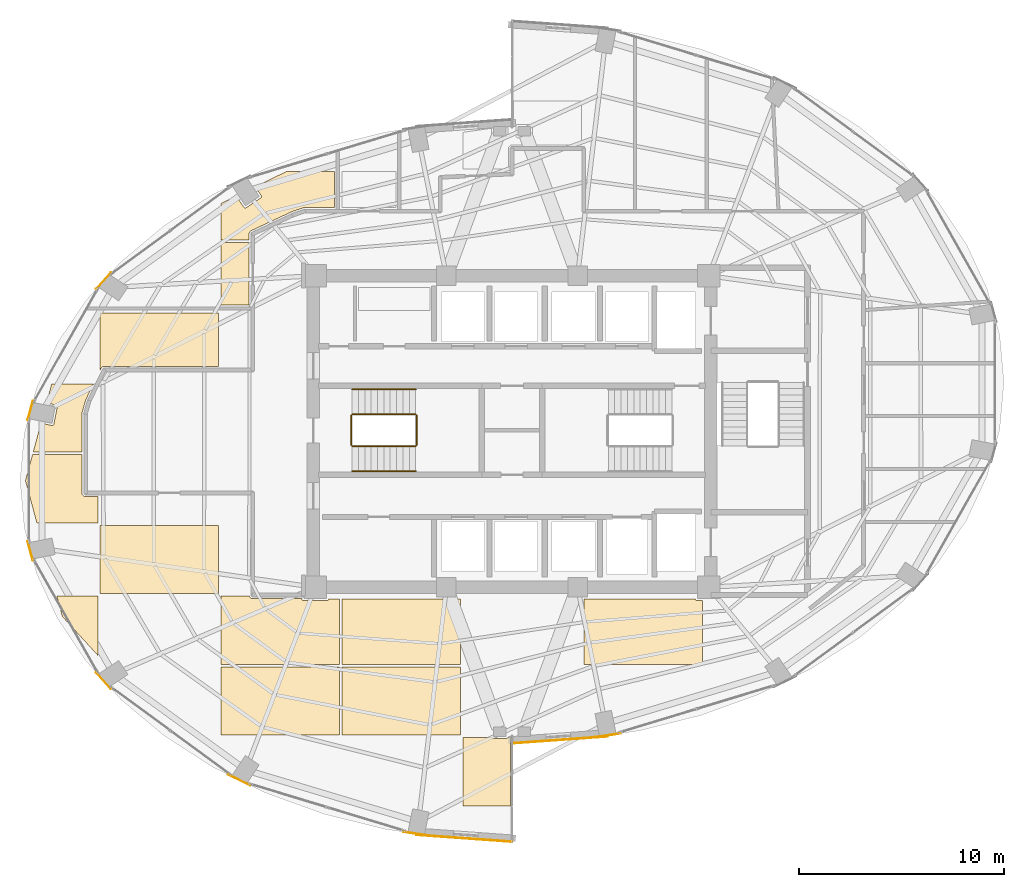
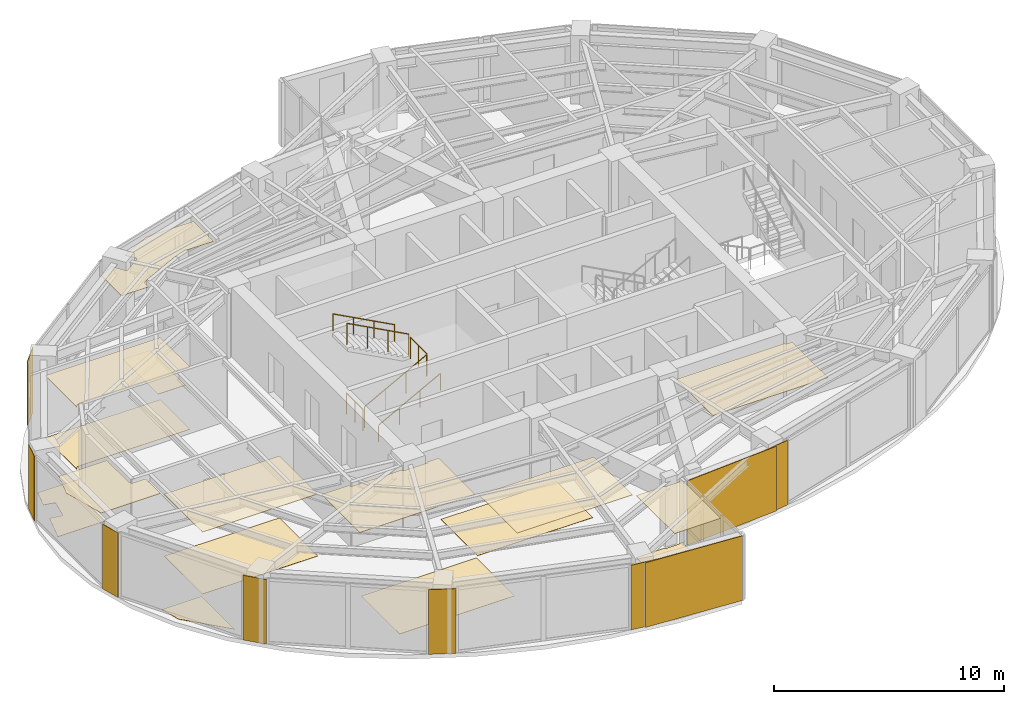
# One storey, part 19 of 20: 25 coverings, 6 railings.
"""IFC4 building model written with IfcOpenShell, lengths in metres."""

import ifcopenshell
import ifcopenshell.guid

model = None  # the IFC model being written
_history = None  # IfcOwnerHistory: only IFC2X3 demands one
_inside = {}  # id of a spatial element -> (the spatial element, [elements in it])
_under = {}  # id of a project, library or spatial element -> (it, [spatial elements below it])
_declared = {}  # id of a project -> (the project, [libraries it declares])
_typed = {}  # id of a type object -> (the type object, [elements of that type])
_made_of = {}  # id of a material, layer set ... -> (it, [elements and type objects made of it])


def new_model(schema):
    """Start an empty IFC model of exactly this schema.

    Asked for "IFC4X3", IfcOpenShell would pick the latest addendum, in which some entities
    have other attributes; the version numbers below select the first issue.
    IFC2X3 requires an IfcOwnerHistory on every rooted entity: one is made here for all.
    """
    global model, _history
    if schema == "IFC4X3":
        model = ifcopenshell.file(schema_version=(4, 3, 0, 0))
    else:
        model = ifcopenshell.file(schema=schema)
    _inside.clear()
    _under.clear()
    _declared.clear()
    _typed.clear()
    _made_of.clear()
    _history = None
    if model.schema == "IFC2X3":
        org = make("IfcOrganization", Name="unknown")
        user = make(
            "IfcPersonAndOrganization",
            ThePerson=make("IfcPerson", FamilyName="unknown"),
            TheOrganization=org,
        )
        app = make(
            "IfcApplication",
            ApplicationDeveloper=org,
            Version="unknown",
            ApplicationFullName="unknown",
            ApplicationIdentifier="unknown",
        )
        _history = make(
            "IfcOwnerHistory",
            OwningUser=user,
            OwningApplication=app,
            ChangeAction="ADDED",
            CreationDate=0,
        )
    return model


def make(cls, **values):
    """One entity of the class cls with the attributes given. An attribute that is None is left unset."""
    return model.create_entity(
        cls, **{name: value for name, value in values.items() if value is not None}
    )


def rooted(cls, **values):
    """An entity with a GlobalId (a new one), such as an element, a storey or a relation."""
    return make(cls, GlobalId=ifcopenshell.guid.new(), OwnerHistory=_history, **values)


def si_unit(unit_type, name, prefix=None):
    """IfcSIUnit, for example si_unit("LENGTHUNIT", "METRE", prefix="MILLI")."""
    return make("IfcSIUnit", UnitType=unit_type, Prefix=prefix, Name=name)


def assignment(units):
    """IfcUnitAssignment: the units of a project."""
    return None if units is None else make("IfcUnitAssignment", Units=units)


def point(xyz):
    """IfcCartesianPoint."""
    return None if xyz is None else make("IfcCartesianPoint", Coordinates=xyz)


def direction(xyz):
    """IfcDirection."""
    return None if xyz is None else make("IfcDirection", DirectionRatios=xyz)


def frame(location, z_axis=None, x_axis=None):
    """IfcAxis2Placement3D, a coordinate frame: its origin and axes. An axis left out is left unset."""
    return make(
        "IfcAxis2Placement3D",
        Location=point(location),
        Axis=direction(z_axis),
        RefDirection=direction(x_axis),
    )


def frame_2d(location, x_axis=None):
    """IfcAxis2Placement2D, a coordinate frame in the plane: its origin and x axis."""
    return make(
        "IfcAxis2Placement2D", Location=point(location), RefDirection=direction(x_axis)
    )


def origin():
    """The frame at (0, 0, 0) with its axes left unset."""
    return frame((0.0, 0.0, 0.0))


def origin_2d():
    """The frame at (0, 0) in the plane with its x axis left unset."""
    return frame_2d((0.0, 0.0))


def place(relative_to, where):
    """IfcLocalPlacement: puts the frame where relative to a parent placement (None: the world)."""
    return make(
        "IfcLocalPlacement", PlacementRelTo=relative_to, RelativePlacement=where
    )


def context(
    kind, dimensions, precision=None, world=None, true_north=None, identifier=None
):
    """IfcGeometricRepresentationContext, for example the 3D "Model" context."""
    return make(
        "IfcGeometricRepresentationContext",
        ContextIdentifier=identifier,
        ContextType=kind,
        CoordinateSpaceDimension=dimensions,
        Precision=precision,
        WorldCoordinateSystem=world,
        TrueNorth=true_north,
    )


def subcontext(parent, identifier, kind, view, scale=None):
    """IfcGeometricRepresentationSubContext, for example "Body" below "Model"."""
    return make(
        "IfcGeometricRepresentationSubContext",
        ContextIdentifier=identifier,
        ContextType=kind,
        ParentContext=parent,
        TargetScale=scale,
        TargetView=view,
    )


def project(units=None, contexts=None):
    """IfcProject with its units and contexts."""
    return rooted(
        "IfcProject",
        Name="project",
        RepresentationContexts=contexts,
        UnitsInContext=assignment(units),
    )


def spatial(cls, under=None, at=None, **own):
    """A site, building, storey or space (cls), placed at a placement, below another one or the project."""
    s = rooted(cls, ObjectPlacement=at, **own)
    if under is not None:
        _under.setdefault(under.id(), (under, []))[1].append(s)
    return s


def polyline(points):
    """IfcPolyline through the points."""
    return make("IfcPolyline", Points=[point(p) for p in points])


def profile(cls, at=None, kind="AREA", **sizes):
    """A parametric profile (cls). Its sizes go by their IFC names, for example OverallWidth=200.0."""
    return make(cls, ProfileType=kind, Position=at, **sizes)


def rectangle(**sizes):
    """IfcRectangleProfileDef."""
    return profile("IfcRectangleProfileDef", **sizes)


def circle(**sizes):
    """IfcCircleProfileDef."""
    return profile("IfcCircleProfileDef", **sizes)


def outline(outer, holes=None, kind="AREA"):
    """IfcArbitraryClosedProfileDef: a profile drawn as a closed curve; with holes, ...WithVoids."""
    if holes is None:
        return make("IfcArbitraryClosedProfileDef", ProfileType=kind, OuterCurve=outer)
    return make(
        "IfcArbitraryProfileDefWithVoids",
        ProfileType=kind,
        OuterCurve=outer,
        InnerCurves=holes,
    )


def extrude(swept, where, along, depth):
    """IfcExtrudedAreaSolid: the profile swept, set in the frame where, extruded along a direction by depth."""
    return make(
        "IfcExtrudedAreaSolid",
        SweptArea=swept,
        Position=where,
        ExtrudedDirection=direction(along),
        Depth=depth,
    )


def shape(context_of_items, identifier, shape_type, items):
    """IfcShapeRepresentation: the items that make up one representation, for example the "Body"."""
    return make(
        "IfcShapeRepresentation",
        ContextOfItems=context_of_items,
        RepresentationIdentifier=identifier,
        RepresentationType=shape_type,
        Items=items,
    )


def material(Name=None, Category=None):
    """IfcMaterial."""
    return make("IfcMaterial", Name=Name, Category=Category)


def layer(
    of_material, thickness, ventilated=None, Name=None, Category=None, Priority=None
):
    """IfcMaterialLayer: one layer of a wall or slab, of a material (None: an air gap)."""
    return make(
        "IfcMaterialLayer",
        Material=of_material,
        LayerThickness=thickness,
        IsVentilated=ventilated,
        Name=Name,
        Category=Category,
        Priority=Priority,
    )


def layer_set(layers, Name=None):
    """IfcMaterialLayerSet."""
    return make("IfcMaterialLayerSet", MaterialLayers=layers, LayerSetName=Name)


def made_of(thing, what):
    """Note that an element or type object is made of a material, layer set ...; save() writes the relation."""
    if what is not None:
        _made_of.setdefault(what.id(), (what, []))[1].append(thing)
    return thing


def type_object(cls, material=None, **own):
    """A type object (cls), such as IfcWallType, which elements share."""
    return made_of(rooted(cls, **own), material)


def element(
    cls,
    number,
    at=None,
    inside=None,
    cuts=None,
    type_object=None,
    material=None,
    context=None,
    identifier="Body",
    shape_type=None,
    held_by="IfcProductDefinitionShape",
    body=None,
    shapes=None,
    **own,
):
    """One element of the class cls, such as IfcWall. Its Tag is "e" and its number.

    at: its placement. inside: the storey or other place that contains it. cuts: it is an
    opening in that element (IfcRelVoidsElement). A single representation is given by context,
    identifier, shape_type and body (its items); several are given by shapes. held_by: the class
    of the entity that holds the representations. save() writes the other relations.
    """
    e = rooted(cls, Tag="e%d" % number, ObjectPlacement=at, **own)
    if body is not None:
        shapes = [shape(context, identifier, shape_type, body)]
    if shapes is not None:
        e.Representation = make(held_by, Representations=shapes)
    if inside is not None:
        _inside.setdefault(inside.id(), (inside, []))[1].append(e)
    if cuts is not None:
        rooted(
            "IfcRelVoidsElement", RelatingBuildingElement=cuts, RelatedOpeningElement=e
        )
    if type_object is not None:
        _typed.setdefault(type_object.id(), (type_object, []))[1].append(e)
    return made_of(e, material)


def aggregate(whole, parts):
    """IfcRelAggregates: a whole, such as a stair, and the parts it consists of."""
    return rooted("IfcRelAggregates", RelatingObject=whole, RelatedObjects=parts)


def save(model, path):
    """Write the relations noted so far, then the file.

    IfcRelAggregates (storeys below a building ...), IfcRelContainedInSpatialStructure (elements
    in a storey), IfcRelDefinesByType, IfcRelAssociatesMaterial and IfcRelDeclares: one each for
    every whole, place, type object, material and project.
    """
    for whole, parts in _under.values():
        aggregate(whole, parts)
    for where, things in _inside.values():
        rooted(
            "IfcRelContainedInSpatialStructure",
            RelatedElements=things,
            RelatingStructure=where,
        )
    for kind, things in _typed.values():
        rooted("IfcRelDefinesByType", RelatedObjects=things, RelatingType=kind)
    for what, things in _made_of.values():
        rooted("IfcRelAssociatesMaterial", RelatedObjects=things, RelatingMaterial=what)
    for by, libraries in _declared.values():
        rooted("IfcRelDeclares", RelatingContext=by, RelatedDefinitions=libraries)
    model.write(path)


model = new_model("IFC4")

# Units and contexts
model_context = context("Model", 3, precision=1e-05, world=origin(), true_north=direction((0.0, 1.0)))
body_context = subcontext(model_context, "Body", "Model", "MODEL_VIEW")
ifc_project = project(units=[si_unit("LENGTHUNIT", "METRE"), si_unit("AREAUNIT", "SQUARE_METRE"), si_unit("VOLUMEUNIT", "CUBIC_METRE"), si_unit("PLANEANGLEUNIT", "RADIAN"), si_unit("MASSUNIT", "GRAM", prefix="KILO")], contexts=[model_context])

# Site, building, storey
site_placement = place(None, origin())
site = spatial("IfcSite", under=ifc_project, at=site_placement, CompositionType="ELEMENT")
building_placement = place(site_placement, origin())
building = spatial("IfcBuilding", under=site, at=building_placement, Name="Lazwardi Medical Tower", CompositionType="ELEMENT")
storey_placement = place(building_placement, frame((0.0, 0.0, 156.528076171875)))
storey = spatial("IfcBuildingStorey", under=building, at=storey_placement, Name="L40", CompositionType="ELEMENT", Elevation=156.528076171875)

# Coverings
ifc_material_1 = material(Name="Anodised bronze aluminium cassette cladding", Category="aluminium")
ifc_layer_1 = layer(ifc_material_1, 0.030029296875)
ifc_layer_set_1 = layer_set([ifc_layer_1], Name="Anodised bronze aluminium cassette cladding")
covering_type_1 = type_object("IfcCoveringType", Name="COV-CLD-BRZ", PredefinedType="CLADDING", material=ifc_layer_set_1)
covering_1_placement = place(storey_placement, frame((40.67431640625, 13.17578125, 0.0), z_axis=(0.0, 0.0, 1.0), x_axis=(0.989539138138, 0.144264666823, 0.0)))
element("IfcCovering", 1, at=covering_1_placement, inside=storey, type_object=covering_type_1, Name="L40 Mega-column bronze cassette cover M01", PredefinedType="CLADDING", context=body_context, shape_type="SweptSolid", body=[
    extrude(rectangle(XDim=1.28515625, YDim=0.030029296875, at=origin_2d()), origin(), (0.0, 0.0, 1.0), 3.427978515625),
])
covering_2_placement = place(storey_placement, frame((16.07861328125, 35.356689453125, 0.0), z_axis=(0.0, 0.0, 1.0), x_axis=(-0.673714459537, -0.738991763832, 0.0)))
element("IfcCovering", 2, at=covering_2_placement, inside=storey, type_object=covering_type_1, Name="L40 Mega-column bronze cassette cover M11", PredefinedType="CLADDING", context=body_context, shape_type="SweptSolid", body=[
    extrude(rectangle(XDim=1.0693359375, YDim=0.030029296875, at=origin_2d()), origin(), (0.0, 0.0, 1.0), 3.427978515625),
])
for number, where, z_axis, x_axis, name in (
    (3, (12.501220703125, 29.026123046875, 0.0), (0.0, 0.0, 1.0), (-0.261828726257, -0.965114354938, 0.0), "L40 Mega-column bronze cassette cover M12"),
    (4, (12.501220703125, 22.173828125, 0.0), (0.0, 0.0, 1.0), (0.261828726257, -0.965114354938, 0.0), "L40 Mega-column bronze cassette cover M13"),
):
    element("IfcCovering", number, at=place(storey_placement, frame(where, z_axis=z_axis, x_axis=x_axis)), inside=storey, type_object=covering_type_1, Name=name, PredefinedType="CLADDING", context=body_context, shape_type="SweptSolid", body=[
        extrude(rectangle(XDim=0.9658203125, YDim=0.030029296875, at=origin_2d()), origin(), (0.0, 0.0, 1.0), 3.427978515625),
    ])
covering_3_placement = place(storey_placement, frame((16.07861328125, 15.84326171875, 0.0), z_axis=(0.0, 0.0, 1.0), x_axis=(0.673714459537, -0.738991763832, 0.0)))
element("IfcCovering", 5, at=covering_3_placement, inside=storey, type_object=covering_type_1, Name="L40 Mega-column bronze cassette cover M14", PredefinedType="CLADDING", context=body_context, shape_type="SweptSolid", body=[
    extrude(rectangle(XDim=1.0693359375, YDim=0.030029296875, at=origin_2d()), origin(), (0.0, 0.0, 1.0), 3.427978515625),
])
covering_4_placement = place(storey_placement, frame((22.68896484375, 10.998046875, 0.0), z_axis=(0.0, 0.0, 1.0), x_axis=(0.898079014814, -0.439834154144, 0.0)))
element("IfcCovering", 6, at=covering_4_placement, inside=storey, type_object=covering_type_1, Name="L40 Mega-column bronze cassette cover M15", PredefinedType="CLADDING", context=body_context, shape_type="SweptSolid", body=[
    extrude(rectangle(XDim=1.200439453125, YDim=0.030029296875, at=origin_2d()), origin(), (0.0, 0.0, 1.0), 3.427978515625),
])
covering_5_placement = place(storey_placement, frame((31.32568359375, 8.3759765625, 0.0), z_axis=(0.0, 0.0, 1.0), x_axis=(0.989539138138, -0.144264666823, 0.0)))
element("IfcCovering", 7, at=covering_5_placement, inside=storey, type_object=covering_type_1, Name="L40 Mega-column bronze cassette cover M16", PredefinedType="CLADDING", context=body_context, shape_type="SweptSolid", body=[
    extrude(rectangle(XDim=1.28515625, YDim=0.030029296875, at=origin_2d()), origin(), (0.0, 0.0, 1.0), 3.427978515625),
])
ifc_material_2 = material(Name="Turquoise glazed ceramic tilework cladding", Category="masonry")
ifc_layer_2 = layer(ifc_material_2, 0.034912109375)
ifc_layer_set_2 = layer_set([ifc_layer_2], Name="Turquoise glazed ceramic tilework cladding")
covering_type_2 = type_object("IfcCoveringType", Name="COV-CLD-TRQ", PredefinedType="CLADDING", material=ifc_layer_set_2)
covering_6_placement = place(storey_placement, frame((38.338134765625, 12.952392578125, 0.0), z_axis=(0.0, 0.0, 1.0), x_axis=(0.997414510753, 0.071863020663, 0.0)))
element("IfcCovering", 8, at=covering_6_placement, inside=storey, type_object=covering_type_2, Name="L40 Turquoise glazed ceramic tilework cladding", PredefinedType="CLADDING", context=body_context, shape_type="SweptSolid", body=[
    extrude(rectangle(XDim=4.6630859375, YDim=0.034912109375, at=origin_2d()), origin(), (0.0, 0.0, 1.0), 3.427978515625),
])
covering_7_placement = place(storey_placement, frame((33.66162109375, 8.152587890625, 0.0), z_axis=(0.0, 0.0, 1.0), x_axis=(0.997414134466, -0.071868243112, 0.0)))
element("IfcCovering", 9, at=covering_7_placement, inside=storey, type_object=covering_type_2, Name="L40 Turquoise glazed ceramic tilework cladding", PredefinedType="CLADDING", context=body_context, shape_type="SweptSolid", body=[
    extrude(rectangle(XDim=4.66259765625, YDim=0.034912109375, at=origin_2d()), origin(), (0.0, 0.0, 1.0), 3.427978515625),
])
ifc_material_3 = material(Name="Acoustic mineral fibre tile")
ifc_layer_3 = layer(ifc_material_3, 0.02490234375)
ifc_layer_set_3 = layer_set([ifc_layer_3], Name="Acoustic mineral fibre tile")
covering_type_3 = type_object("IfcCoveringType", Name="COV-CLG-01", PredefinedType="CEILING", material=ifc_layer_set_3)
covering_8_placement = place(storey_placement, frame((0.0, 0.0, 3.282958984375)))
element("IfcCovering", 10, at=covering_8_placement, inside=storey, type_object=covering_type_3, Name="L40 Clinical Acoustic Ceiling 1", PredefinedType="CEILING", context=body_context, shape_type="SweptSolid", body=[
    extrude(outline(polyline([(15.79296875, 24.824951171875), (15.199951171875, 24.824951171875), (15.19580078125, 24.8251953125), (15.186279296875, 24.82568359375), (15.179443359375, 24.826416015625), (15.17041015625, 24.82763671875), (15.161865234375, 24.8291015625), (15.15283203125, 24.83154296875), (15.145751953125, 24.83349609375), (15.136962890625, 24.836669921875), (15.129150390625, 24.840087890625), (15.120849609375, 24.843994140625), (15.114013671875, 24.84765625), (15.10595703125, 24.852294921875), (15.099365234375, 24.85693359375), (15.091796875, 24.862548828125), (15.086181640625, 24.8671875), (15.079345703125, 24.873291015625), (15.0732421875, 24.87939453125), (15.067138671875, 24.88623046875), (15.0625, 24.891845703125), (15.056884765625, 24.8994140625), (15.052490234375, 24.906005859375), (15.047607421875, 24.9140625), (15.0439453125, 24.9208984375), (15.0400390625, 24.92919921875), (15.03662109375, 24.93701171875), (15.03369140625, 24.94580078125), (15.031494140625, 24.952880859375), (15.029296875, 24.9619140625), (15.027587890625, 24.97021484375), (15.0263671875, 24.9794921875), (15.025634765625, 24.986328125), (15.025146484375, 24.99560546875), (15.02490234375, 25.0), (15.02490234375, 26.87255859375), (12.60888671875, 26.87255859375), (12.262939453125, 25.60009765625), (12.822509765625, 23.54248046875), (15.79296875, 23.54248046875), (15.79296875, 24.824951171875)])), origin(), (0.0, 0.0, 1.0), 0.02490234375),
])
covering_9_placement = place(storey_placement, frame((0.0, 0.0, 3.282958984375)))
element("IfcCovering", 11, at=covering_9_placement, inside=storey, type_object=covering_type_3, Name="L40 Clinical Acoustic Ceiling 2", PredefinedType="CEILING", context=body_context, shape_type="SweptSolid", body=[
    extrude(outline(polyline([(21.69287109375, 20.092529296875), (21.69287109375, 23.422607421875), (15.912841796875, 23.422607421875), (15.912841796875, 20.092529296875), (21.69287109375, 20.092529296875)])), origin(), (0.0, 0.0, 1.0), 0.02490234375),
])
covering_10_placement = place(storey_placement, frame((0.0, 0.0, 3.282958984375)))
element("IfcCovering", 12, at=covering_10_placement, inside=storey, type_object=covering_type_3, Name="L40 Clinical Acoustic Ceiling 3", PredefinedType="CEILING", context=body_context, shape_type="SweptSolid", body=[
    extrude(outline(polyline([(15.912841796875, 30.997802734375), (15.950927734375, 31.076416015625), (15.952880859375, 31.080078125), (15.95751953125, 31.088623046875), (15.961669921875, 31.09521484375), (15.96728515625, 31.103271484375), (15.97216796875, 31.109619140625), (15.978271484375, 31.116943359375), (15.98388671875, 31.123046875), (15.990966796875, 31.129638671875), (15.99755859375, 31.135498046875), (16.00537109375, 31.141357421875), (16.0107421875, 31.14501953125), (16.018798828125, 31.150390625), (16.02734375, 31.155029296875), (16.035888671875, 31.1591796875), (16.042724609375, 31.162109375), (16.052001953125, 31.16552734375), (16.059814453125, 31.168212890625), (16.069091796875, 31.17041015625), (16.076904296875, 31.172119140625), (16.08642578125, 31.173583984375), (16.094482421875, 31.17431640625), (16.104248046875, 31.1748046875), (16.1083984375, 31.175048828125), (21.69287109375, 31.175048828125), (21.69287109375, 33.7724609375), (15.912841796875, 33.7724609375), (15.912841796875, 30.997802734375)])), origin(), (0.0, 0.0, 1.0), 0.02490234375),
])
covering_11_placement = place(storey_placement, frame((0.0, 0.0, 3.282958984375)))
element("IfcCovering", 13, at=covering_11_placement, inside=storey, type_object=covering_type_3, Name="L40 Clinical Acoustic Ceiling 4", PredefinedType="CEILING", context=body_context, shape_type="SweptSolid", body=[
    extrude(outline(polyline([(27.593017578125, 19.820068359375), (27.04931640625, 19.820068359375), (27.048583984375, 19.814453125), (27.046630859375, 19.806884765625), (27.0439453125, 19.79931640625), (27.04052734375, 19.792236328125), (27.03662109375, 19.78564453125), (27.03173828125, 19.779296875), (27.026611328125, 19.7734375), (27.020751953125, 19.768310546875), (27.014404296875, 19.763427734375), (27.0078125, 19.759521484375), (27.00048828125, 19.756103515625), (26.9931640625, 19.75341796875), (26.985595703125, 19.75146484375), (26.977783203125, 19.75048828125), (26.969970703125, 19.75), (25.830078125, 19.75), (25.822265625, 19.75048828125), (25.814453125, 19.75146484375), (25.806884765625, 19.75341796875), (25.79931640625, 19.756103515625), (25.792236328125, 19.759521484375), (25.78564453125, 19.763427734375), (25.779296875, 19.768310546875), (25.7734375, 19.7734375), (25.768310546875, 19.779296875), (25.763427734375, 19.78564453125), (25.759521484375, 19.792236328125), (25.756103515625, 19.79931640625), (25.75341796875, 19.806884765625), (25.75146484375, 19.814453125), (25.75048828125, 19.822265625), (25.75, 19.830078125), (25.75, 19.844970703125), (23.35009765625, 19.844970703125), (23.345703125, 19.84521484375), (23.33642578125, 19.845703125), (23.32958984375, 19.84619140625), (23.3203125, 19.84765625), (23.31201171875, 19.84912109375), (23.302734375, 19.8515625), (23.2958984375, 19.853515625), (23.287109375, 19.856689453125), (23.279296875, 19.860107421875), (23.270751953125, 19.864013671875), (23.263916015625, 19.86767578125), (23.256103515625, 19.872314453125), (23.249267578125, 19.876953125), (23.24169921875, 19.882568359375), (23.236083984375, 19.88720703125), (23.229248046875, 19.893310546875), (23.223388671875, 19.8994140625), (23.217041015625, 19.90625), (23.21240234375, 19.911865234375), (23.206787109375, 19.919189453125), (23.202392578125, 19.926025390625), (23.197509765625, 19.93408203125), (23.194091796875, 19.94091796875), (23.18994140625, 19.94921875), (23.186767578125, 19.95703125), (23.18359375, 19.9658203125), (23.181640625, 19.972412109375), (21.81298828125, 19.972412109375), (21.81298828125, 16.642578125), (27.593017578125, 16.642578125), (27.593017578125, 19.820068359375)])), origin(), (0.0, 0.0, 1.0), 0.02490234375),
])
covering_12_placement = place(storey_placement, frame((0.0, 0.0, 3.282958984375)))
element("IfcCovering", 14, at=covering_12_placement, inside=storey, type_object=covering_type_3, Name="L40 Clinical Acoustic Ceiling 5", PredefinedType="CEILING", context=body_context, shape_type="SweptSolid", body=[
    extrude(outline(polyline([(24.976318359375, 40.672607421875), (23.476318359375, 39.939453125), (23.76806640625, 39.5029296875), (23.772216796875, 39.49609375), (23.775390625, 39.489013671875), (23.7783203125, 39.481689453125), (23.780029296875, 39.47412109375), (23.78125, 39.46630859375), (23.781494140625, 39.45849609375), (23.78125, 39.45068359375), (23.780029296875, 39.44287109375), (23.7783203125, 39.435302734375), (23.775390625, 39.427734375), (23.772216796875, 39.420654296875), (23.76806640625, 39.4140625), (23.763427734375, 39.40771484375), (23.75830078125, 39.40185546875), (23.75244140625, 39.396484375), (23.74609375, 39.391845703125), (23.031005859375, 38.9140625), (23.024169921875, 38.909912109375), (23.01708984375, 38.90673828125), (23.009765625, 38.904052734375), (23.002197265625, 38.902099609375), (22.994384765625, 38.90087890625), (22.986572265625, 38.900634765625), (22.978759765625, 38.90087890625), (22.970947265625, 38.902099609375), (22.96337890625, 38.904052734375), (22.955810546875, 38.90673828125), (22.94873046875, 38.909912109375), (22.942138671875, 38.9140625), (22.935791015625, 38.918701171875), (22.929931640625, 38.924072265625), (22.9248046875, 38.929931640625), (22.919921875, 38.936279296875), (22.551513671875, 39.487548828125), (21.81298828125, 39.126708984375), (21.81298828125, 37.342529296875), (23.175048828125, 37.342529296875), (23.175048828125, 37.6337890625), (23.175048828125, 37.637451171875), (23.175537109375, 37.646484375), (23.17626953125, 37.654296875), (23.177490234375, 37.663330078125), (23.178955078125, 37.67041015625), (23.180908203125, 37.67919921875), (23.18310546875, 37.686279296875), (23.18603515625, 37.694580078125), (23.18896484375, 37.7021484375), (23.192626953125, 37.710205078125), (23.19580078125, 37.71630859375), (23.2001953125, 37.72412109375), (23.204345703125, 37.730712890625), (23.20947265625, 37.73828125), (23.214111328125, 37.744140625), (23.219970703125, 37.7509765625), (23.2255859375, 37.7568359375), (23.232177734375, 37.76318359375), (23.2373046875, 37.767578125), (23.244384765625, 37.773193359375), (23.25048828125, 37.77783203125), (23.258056640625, 37.78271484375), (23.26416015625, 37.786376953125), (23.272216796875, 37.79052734375), (23.27587890625, 37.79248046875), (25.245849609375, 38.714111328125), (25.24951171875, 38.7158203125), (25.2587890625, 38.719482421875), (25.262939453125, 38.72119140625), (25.825439453125, 38.915283203125), (25.82958984375, 38.916748046875), (25.83984375, 38.919677734375), (25.848876953125, 38.921630859375), (25.859130859375, 38.92333984375), (25.867431640625, 38.92431640625), (25.8779296875, 38.9248046875), (25.882568359375, 38.925048828125), (27.3349609375, 38.925048828125), (27.3349609375, 40.672607421875), (24.976318359375, 40.672607421875)])), origin(), (0.0, 0.0, 1.0), 0.02490234375),
])
covering_13_placement = place(storey_placement, frame((0.0, 0.0, 3.282958984375)))
element("IfcCovering", 15, at=covering_13_placement, inside=storey, type_object=covering_type_3, Name="L40 Clinical Acoustic Ceiling 6", PredefinedType="CEILING", context=body_context, shape_type="SweptSolid", body=[
    extrude(outline(polyline([(33.492919921875, 13.1923828125), (33.492919921875, 16.5224609375), (27.712890625, 16.5224609375), (27.712890625, 13.1923828125), (33.492919921875, 13.1923828125)])), origin(), (0.0, 0.0, 1.0), 0.02490234375),
])
covering_14_placement = place(storey_placement, frame((0.0, 0.0, 3.282958984375)))
element("IfcCovering", 16, at=covering_14_placement, inside=storey, type_object=covering_type_3, Name="L40 Clinical Acoustic Ceiling 8", PredefinedType="CEILING", context=body_context, shape_type="SweptSolid", body=[
    extrude(outline(polyline([(35.79296875, 13.072509765625), (35.79052734375, 13.0673828125), (35.78662109375, 13.060546875), (35.78173828125, 13.05419921875), (35.776611328125, 13.04833984375), (35.770751953125, 13.043212890625), (35.764404296875, 13.03857421875), (35.7578125, 13.034423828125), (35.75048828125, 13.031005859375), (35.7431640625, 13.0283203125), (35.735595703125, 13.026611328125), (35.727783203125, 13.025390625), (35.719970703125, 13.02490234375), (35.080078125, 13.02490234375), (35.072265625, 13.025390625), (35.064453125, 13.026611328125), (35.056884765625, 13.0283203125), (35.04931640625, 13.031005859375), (35.042236328125, 13.034423828125), (35.03564453125, 13.03857421875), (35.029296875, 13.043212890625), (35.0234375, 13.04833984375), (35.018310546875, 13.05419921875), (35.013427734375, 13.060546875), (35.009521484375, 13.0673828125), (35.007080078125, 13.072509765625), (33.61279296875, 13.072509765625), (33.61279296875, 9.742431640625), (35.919921875, 9.742431640625), (35.919921875, 12.97998046875), (35.92041015625, 12.987548828125), (35.92138671875, 12.9951171875), (35.923095703125, 13.00244140625), (35.92578125, 13.009765625), (35.928955078125, 13.0166015625), (35.9326171875, 13.023193359375), (35.93701171875, 13.029296875), (35.942138671875, 13.03515625), (35.947509765625, 13.040283203125), (35.95361328125, 13.045166015625), (35.9599609375, 13.04931640625), (35.966796875, 13.052734375), (35.9736328125, 13.0556640625), (35.98095703125, 13.0576171875), (35.988525390625, 13.05908203125), (36.080078125, 13.072509765625), (35.79296875, 13.072509765625)])), origin(), (0.0, 0.0, 1.0), 0.02490234375),
])
covering_15_placement = place(storey_placement, frame((0.0, 0.0, 3.282958984375)))
element("IfcCovering", 17, at=covering_15_placement, inside=storey, type_object=covering_type_3, Name="L40 Clinical Acoustic Ceiling 10", PredefinedType="CEILING", context=body_context, shape_type="SweptSolid", body=[
    extrude(outline(polyline([(45.29296875, 19.75), (45.030029296875, 19.75), (45.022216796875, 19.75048828125), (45.014404296875, 19.75146484375), (45.0068359375, 19.75341796875), (44.99951171875, 19.756103515625), (44.9921875, 19.759521484375), (44.985595703125, 19.763427734375), (44.979248046875, 19.768310546875), (44.973388671875, 19.7734375), (44.96826171875, 19.779296875), (44.96337890625, 19.78564453125), (44.95947265625, 19.792236328125), (44.9560546875, 19.79931640625), (44.953369140625, 19.806884765625), (44.951416015625, 19.814453125), (44.95068359375, 19.820068359375), (39.512939453125, 19.820068359375), (39.512939453125, 16.642578125), (45.29296875, 16.642578125), (45.29296875, 19.75)])), origin(), (0.0, 0.0, 1.0), 0.02490234375),
])
ifc_material_4 = material(Name="Anti-static hospital vinyl sheet flooring")
ifc_layer_4 = layer(ifc_material_4, 0.014892578125)
ifc_layer_set_4 = layer_set([ifc_layer_4], Name="Anti-static hospital vinyl sheet flooring")
covering_type_4 = type_object("IfcCoveringType", Name="COV-FLR-01", PredefinedType="FLOORING", material=ifc_layer_set_4)
covering_16_placement = place(storey_placement, origin())
element("IfcCovering", 18, at=covering_16_placement, inside=storey, type_object=covering_type_4, Name="L40 Clinical Vinyl Flooring 1", PredefinedType="FLOORING", context=body_context, shape_type="SweptSolid", body=[
    extrude(outline(polyline([(13.793701171875, 19.972412109375), (14.065185546875, 18.973388671875), (15.79296875, 17.08251953125), (15.79296875, 19.972412109375), (13.793701171875, 19.972412109375)])), origin(), (0.0, 0.0, 1.0), 0.014892578125),
])
covering_17_placement = place(storey_placement, origin())
element("IfcCovering", 19, at=covering_17_placement, inside=storey, type_object=covering_type_4, Name="L40 Clinical Vinyl Flooring 2", PredefinedType="FLOORING", context=body_context, shape_type="SweptSolid", body=[
    extrude(outline(polyline([(13.54736328125, 30.322509765625), (13.293212890625, 29.38818359375), (13.757080078125, 29.2958984375), (13.764892578125, 29.2939453125), (13.772216796875, 29.291259765625), (13.779296875, 29.2880859375), (13.785888671875, 29.283935546875), (13.79248046875, 29.279296875), (13.798095703125, 29.27392578125), (13.803466796875, 29.268310546875), (13.80810546875, 29.26171875), (13.812255859375, 29.255126953125), (13.8154296875, 29.248046875), (13.818115234375, 29.240478515625), (13.820068359375, 29.23291015625), (13.8212890625, 29.22509765625), (13.821533203125, 29.21728515625), (13.8212890625, 29.209716796875), (13.820068359375, 29.201904296875), (13.65234375, 28.3583984375), (13.650390625, 28.3505859375), (13.647705078125, 28.34326171875), (13.644287109375, 28.336181640625), (13.640380859375, 28.32958984375), (13.635498046875, 28.322998046875), (13.63037109375, 28.3173828125), (13.62451171875, 28.31201171875), (13.6181640625, 28.307373046875), (13.611572265625, 28.30322265625), (13.6044921875, 28.300048828125), (13.596923828125, 28.29736328125), (13.58935546875, 28.29541015625), (13.58154296875, 28.294189453125), (13.57373046875, 28.2939453125), (13.56591796875, 28.294189453125), (13.55810546875, 28.29541015625), (13.02490234375, 28.401611328125), (12.6416015625, 26.992431640625), (15.02490234375, 26.992431640625), (15.02490234375, 28.881103515625), (15.025146484375, 28.884765625), (15.025390625, 28.8935546875), (15.026123046875, 28.90087890625), (15.02734375, 28.90966796875), (15.02880859375, 28.91650390625), (15.03076171875, 28.92529296875), (15.031494140625, 28.928955078125), (15.199462890625, 29.519775390625), (15.200439453125, 29.523193359375), (15.203125, 29.531005859375), (15.20556640625, 29.53759765625), (15.208984375, 29.545166015625), (15.210205078125, 29.548095703125), (15.585693359375, 30.322509765625), (13.54736328125, 30.322509765625)])), origin(), (0.0, 0.0, 1.0), 0.014892578125),
])
covering_18_placement = place(storey_placement, origin())
element("IfcCovering", 20, at=covering_18_placement, inside=storey, type_object=covering_type_4, Name="L40 Clinical Vinyl Flooring 3", PredefinedType="FLOORING", context=body_context, shape_type="SweptSolid", body=[
    extrude(outline(polyline([(21.69287109375, 20.092529296875), (21.69287109375, 23.422607421875), (15.912841796875, 23.422607421875), (15.912841796875, 20.092529296875), (21.69287109375, 20.092529296875)])), origin(), (0.0, 0.0, 1.0), 0.014892578125),
])
covering_19_placement = place(storey_placement, origin())
element("IfcCovering", 21, at=covering_19_placement, inside=storey, type_object=covering_type_4, Name="L40 Clinical Vinyl Flooring 4", PredefinedType="FLOORING", context=body_context, shape_type="SweptSolid", body=[
    extrude(outline(polyline([(15.912841796875, 30.997802734375), (15.950927734375, 31.076416015625), (15.952880859375, 31.080078125), (15.95751953125, 31.088623046875), (15.961669921875, 31.09521484375), (15.96728515625, 31.103271484375), (15.97216796875, 31.109619140625), (15.978271484375, 31.116943359375), (15.98388671875, 31.123046875), (15.990966796875, 31.129638671875), (15.99755859375, 31.135498046875), (16.00537109375, 31.141357421875), (16.0107421875, 31.14501953125), (16.018798828125, 31.150390625), (16.02734375, 31.155029296875), (16.035888671875, 31.1591796875), (16.042724609375, 31.162109375), (16.052001953125, 31.16552734375), (16.059814453125, 31.168212890625), (16.069091796875, 31.17041015625), (16.076904296875, 31.172119140625), (16.08642578125, 31.173583984375), (16.094482421875, 31.17431640625), (16.104248046875, 31.1748046875), (16.1083984375, 31.175048828125), (21.69287109375, 31.175048828125), (21.69287109375, 33.7724609375), (15.912841796875, 33.7724609375), (15.912841796875, 30.997802734375)])), origin(), (0.0, 0.0, 1.0), 0.014892578125),
])
covering_20_placement = place(storey_placement, origin())
element("IfcCovering", 22, at=covering_20_placement, inside=storey, type_object=covering_type_4, Name="L40 Clinical Vinyl Flooring 5", PredefinedType="FLOORING", context=body_context, shape_type="SweptSolid", body=[
    extrude(outline(polyline([(27.593017578125, 13.1923828125), (27.593017578125, 16.5224609375), (21.81298828125, 16.5224609375), (21.81298828125, 13.1923828125), (27.593017578125, 13.1923828125)])), origin(), (0.0, 0.0, 1.0), 0.014892578125),
])
covering_21_placement = place(storey_placement, origin())
element("IfcCovering", 23, at=covering_21_placement, inside=storey, type_object=covering_type_4, Name="L40 Clinical Vinyl Flooring 6", PredefinedType="FLOORING", context=body_context, shape_type="SweptSolid", body=[
    extrude(outline(polyline([(21.81298828125, 34.1650390625), (23.175048828125, 34.1650390625), (23.175048828125, 37.222412109375), (21.81298828125, 37.222412109375), (21.81298828125, 34.1650390625)])), origin(), (0.0, 0.0, 1.0), 0.014892578125),
])
covering_22_placement = place(storey_placement, origin())
element("IfcCovering", 24, at=covering_22_placement, inside=storey, type_object=covering_type_4, Name="L40 Clinical Vinyl Flooring 7", PredefinedType="FLOORING", context=body_context, shape_type="SweptSolid", body=[
    extrude(outline(polyline([(33.492919921875, 19.820068359375), (27.712890625, 19.820068359375), (27.712890625, 16.642578125), (33.492919921875, 16.642578125), (33.492919921875, 19.820068359375)])), origin(), (0.0, 0.0, 1.0), 0.014892578125),
])
covering_23_placement = place(storey_placement, origin())
element("IfcCovering", 25, at=covering_23_placement, inside=storey, type_object=covering_type_4, Name="L40 Clinical Vinyl Flooring 9", PredefinedType="FLOORING", context=body_context, shape_type="SweptSolid", body=[
    extrude(outline(polyline([(35.79296875, 13.072509765625), (35.79052734375, 13.0673828125), (35.78662109375, 13.060546875), (35.78173828125, 13.05419921875), (35.776611328125, 13.04833984375), (35.770751953125, 13.043212890625), (35.764404296875, 13.03857421875), (35.7578125, 13.034423828125), (35.75048828125, 13.031005859375), (35.7431640625, 13.0283203125), (35.735595703125, 13.026611328125), (35.727783203125, 13.025390625), (35.719970703125, 13.02490234375), (35.080078125, 13.02490234375), (35.072265625, 13.025390625), (35.064453125, 13.026611328125), (35.056884765625, 13.0283203125), (35.04931640625, 13.031005859375), (35.042236328125, 13.034423828125), (35.03564453125, 13.03857421875), (35.029296875, 13.043212890625), (35.0234375, 13.04833984375), (35.018310546875, 13.05419921875), (35.013427734375, 13.060546875), (35.009521484375, 13.0673828125), (35.007080078125, 13.072509765625), (33.61279296875, 13.072509765625), (33.61279296875, 9.742431640625), (35.919921875, 9.742431640625), (35.919921875, 12.97998046875), (35.92041015625, 12.987548828125), (35.92138671875, 12.9951171875), (35.923095703125, 13.00244140625), (35.92578125, 13.009765625), (35.928955078125, 13.0166015625), (35.9326171875, 13.023193359375), (35.93701171875, 13.029296875), (35.942138671875, 13.03515625), (35.947509765625, 13.040283203125), (35.95361328125, 13.045166015625), (35.9599609375, 13.04931640625), (35.966796875, 13.052734375), (35.9736328125, 13.0556640625), (35.98095703125, 13.0576171875), (35.988525390625, 13.05908203125), (36.080078125, 13.072509765625), (35.79296875, 13.072509765625)])), origin(), (0.0, 0.0, 1.0), 0.014892578125),
])

# Railings
ifc_material_5 = material(Name="Stainless steel Grade 316", Category="steel")
railing_type_1 = type_object("IfcRailingType", Name="RLG-GRD-1150", PredefinedType="GUARDRAIL", material=ifc_material_5)
railing_1_placement = place(storey_placement, frame((28.199951171875, 27.2900390625, 0.165771484375)))
element("IfcRailing", 26, at=railing_1_placement, inside=storey, type_object=railing_type_1, Name="L40 ST1 stair guard 1", PredefinedType="GUARDRAIL", context=body_context, shape_type="SweptSolid", body=[
    extrude(circle(Radius=0.02392578125, at=origin_2d()), frame((0.0, 0.0, 1.1259765625), z_axis=(0.881783298633, 0.0, 0.471654761719), x_axis=(0.0, 1.0, 0.0)), (0.0, 0.0, 1.0), 3.515625),
    extrude(circle(Radius=0.02099609375, at=origin_2d()), origin(), (0.0, 0.0, 1.0), 1.099853515625),
    extrude(circle(Radius=0.02099609375, at=origin_2d()), frame((1.033447265625, 0.0, 0.552734375)), (0.0, 0.0, 1.0), 1.099853515625),
    extrude(circle(Radius=0.02099609375, at=origin_2d()), frame((2.066650390625, 0.0, 1.10546875)), (0.0, 0.0, 1.0), 1.099853515625),
    extrude(circle(Radius=0.02099609375, at=origin_2d()), frame((3.10009765625, 0.0, 1.658203125)), (0.0, 0.0, 1.0), 1.099853515625),
])
railing_2_placement = place(storey_placement, frame((31.35009765625, 27.340087890625, 1.823974609375)))
element("IfcRailing", 27, at=railing_2_placement, inside=storey, type_object=railing_type_1, Name="L40 ST1 stair guard 2", PredefinedType="GUARDRAIL", context=body_context, shape_type="SweptSolid", body=[
    extrude(circle(Radius=0.02392578125, at=origin_2d()), frame((0.0, 0.0, 1.1259765625), z_axis=(0.0, 1.0, 0.0), x_axis=(-1.0, 0.0, 0.0)), (0.0, 0.0, 1.0), 1.43994140625),
    extrude(circle(Radius=0.02099609375, at=origin_2d()), origin(), (0.0, 0.0, 1.0), 1.099853515625),
    extrude(circle(Radius=0.02099609375, at=origin_2d()), frame((0.0, 0.719970703125, 0.0)), (0.0, 0.0, 1.0), 1.099853515625),
    extrude(circle(Radius=0.02099609375, at=origin_2d()), frame((0.0, 1.43994140625, 0.0)), (0.0, 0.0, 1.0), 1.099853515625),
])
railing_3_placement = place(storey_placement, frame((31.300048828125, 28.830078125, 1.98974609375)))
element("IfcRailing", 28, at=railing_3_placement, inside=storey, type_object=railing_type_1, Name="L40 ST1 stair guard 3", PredefinedType="GUARDRAIL", context=body_context, shape_type="SweptSolid", body=[
    extrude(circle(Radius=0.02392578125, at=origin_2d()), frame((0.0, 0.0, 1.1259765625), z_axis=(-0.881783298633, 0.0, 0.471654761719), x_axis=(0.0, -1.0, 0.0)), (0.0, 0.0, 1.0), 3.515625),
    extrude(circle(Radius=0.02099609375, at=origin_2d()), origin(), (0.0, 0.0, 1.0), 1.099853515625),
    extrude(circle(Radius=0.02099609375, at=origin_2d()), frame((-1.033447265625, 0.0, 0.552734375)), (0.0, 0.0, 1.0), 1.099853515625),
    extrude(circle(Radius=0.02099609375, at=origin_2d()), frame((-2.066650390625, 0.0, 1.10546875)), (0.0, 0.0, 1.0), 1.099853515625),
    extrude(circle(Radius=0.02099609375, at=origin_2d()), frame((-3.10009765625, 0.0, 1.658203125)), (0.0, 0.0, 1.0), 1.099853515625),
])
railing_4_placement = place(storey_placement, frame((28.14990234375, 27.340087890625, 0.0)))
element("IfcRailing", 29, at=railing_4_placement, inside=storey, type_object=railing_type_1, Name="L40 ST1 stair guard 4", PredefinedType="GUARDRAIL", context=body_context, shape_type="SweptSolid", body=[
    extrude(circle(Radius=0.02392578125, at=origin_2d()), frame((0.0, 0.0, 1.1259765625), z_axis=(0.0, 1.0, 0.0), x_axis=(-1.0, 0.0, 0.0)), (0.0, 0.0, 1.0), 1.43994140625),
    extrude(circle(Radius=0.02099609375, at=origin_2d()), origin(), (0.0, 0.0, 1.0), 1.099853515625),
    extrude(circle(Radius=0.02099609375, at=origin_2d()), frame((0.0, 0.719970703125, 0.0)), (0.0, 0.0, 1.0), 1.099853515625),
    extrude(circle(Radius=0.02099609375, at=origin_2d()), frame((0.0, 1.43994140625, 0.0)), (0.0, 0.0, 1.0), 1.099853515625),
])
railing_type_2 = type_object("IfcRailingType", Name="RLG-HND-920", PredefinedType="HANDRAIL", material=ifc_material_5)
railing_5_placement = place(storey_placement, frame((28.199951171875, 26.070068359375, 0.165771484375)))
element("IfcRailing", 30, at=railing_5_placement, inside=storey, type_object=railing_type_2, Name="L40 ST1 stair handrail 1", PredefinedType="HANDRAIL", context=body_context, shape_type="SweptSolid", body=[
    extrude(circle(Radius=0.02392578125, at=origin_2d()), frame((0.0, 0.0, 0.8857421875), z_axis=(0.881783298633, 0.0, 0.471654761719), x_axis=(0.0, 1.0, 0.0)), (0.0, 0.0, 1.0), 3.515625),
    extrude(circle(Radius=0.02099609375, at=origin_2d()), origin(), (0.0, 0.0, 1.0), 0.85986328125),
    extrude(circle(Radius=0.02099609375, at=origin_2d()), frame((1.033447265625, 0.0, 0.552734375)), (0.0, 0.0, 1.0), 0.85986328125),
    extrude(circle(Radius=0.02099609375, at=origin_2d()), frame((2.066650390625, 0.0, 1.10546875)), (0.0, 0.0, 1.0), 0.85986328125),
    extrude(circle(Radius=0.02099609375, at=origin_2d()), frame((3.10009765625, 0.0, 1.658203125)), (0.0, 0.0, 1.0), 0.85986328125),
])
railing_6_placement = place(storey_placement, frame((31.300048828125, 30.050048828125, 1.98974609375)))
element("IfcRailing", 31, at=railing_6_placement, inside=storey, type_object=railing_type_2, Name="L40 ST1 stair handrail 2", PredefinedType="HANDRAIL", context=body_context, shape_type="SweptSolid", body=[
    extrude(circle(Radius=0.02392578125, at=origin_2d()), frame((0.0, 0.0, 0.8857421875), z_axis=(-0.881783298633, 0.0, 0.471654761719), x_axis=(0.0, -1.0, 0.0)), (0.0, 0.0, 1.0), 3.515625),
    extrude(circle(Radius=0.02099609375, at=origin_2d()), origin(), (0.0, 0.0, 1.0), 0.85986328125),
    extrude(circle(Radius=0.02099609375, at=origin_2d()), frame((-1.033447265625, 0.0, 0.552734375)), (0.0, 0.0, 1.0), 0.85986328125),
    extrude(circle(Radius=0.02099609375, at=origin_2d()), frame((-2.066650390625, 0.0, 1.10546875)), (0.0, 0.0, 1.0), 0.85986328125),
    extrude(circle(Radius=0.02099609375, at=origin_2d()), frame((-3.10009765625, 0.0, 1.658203125)), (0.0, 0.0, 1.0), 0.85986328125),
])

save(model, "model.ifc")
